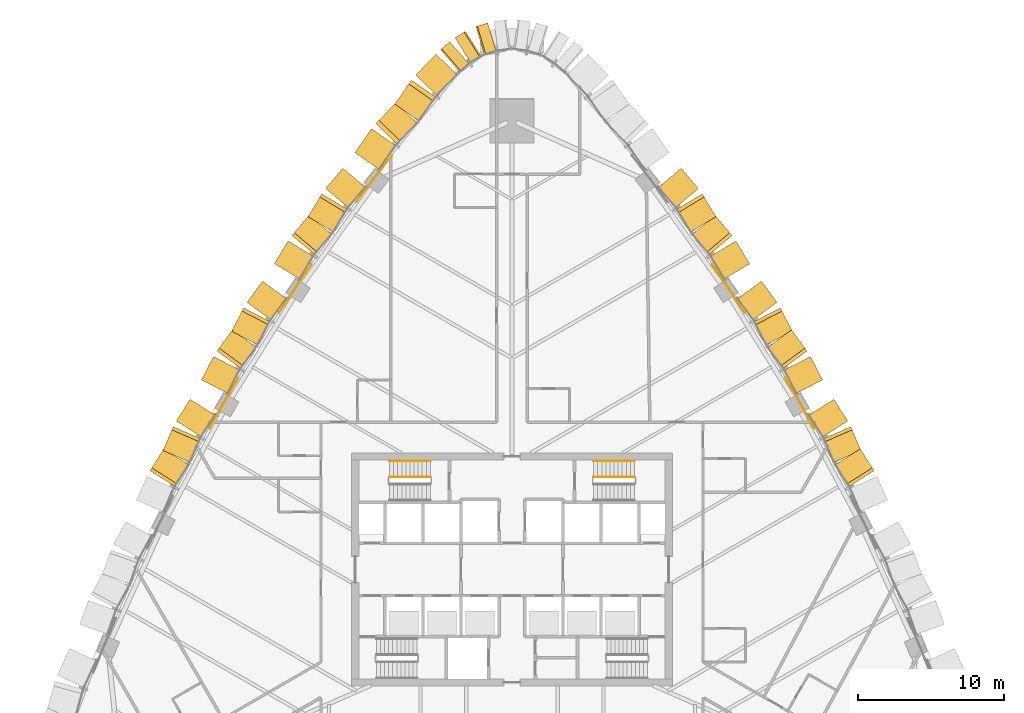
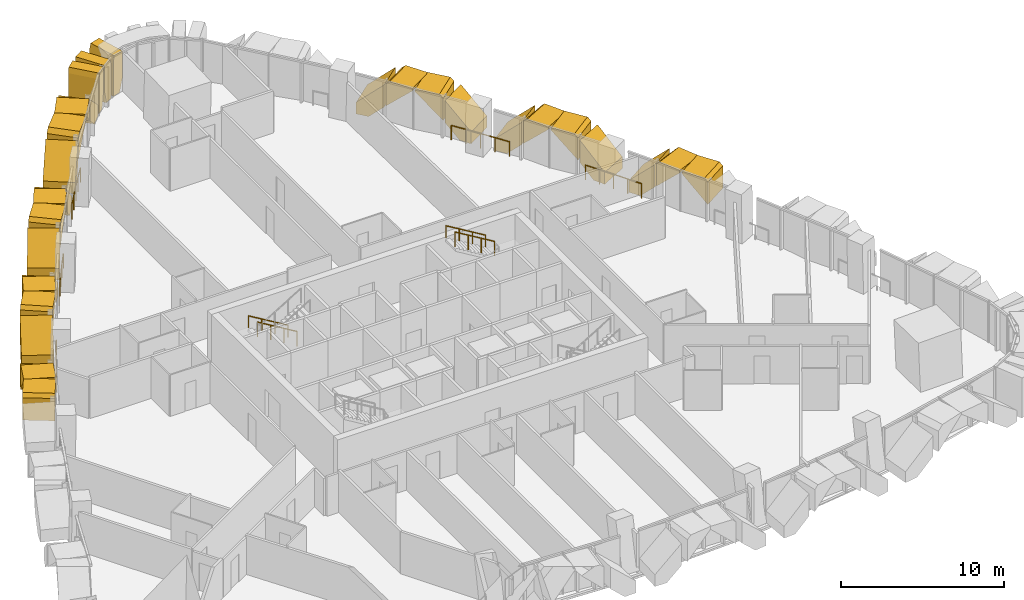
# One storey, part 20 of 22: 29 coverings, 9 railings.
"""IFC4 building model written with IfcOpenShell, lengths in metres."""

from ifc_helpers import new_model, si_unit, direction, frame, origin, origin_2d, place, context, subcontext, project, spatial, polyline, circle, outline, extrude, material, layer, layer_set, type_object, element, save


model = new_model("IFC4")

# Units and contexts
model_context = context("Model", 3, precision=1e-05, world=origin(), true_north=direction((0.0, 1.0)))
body_context = subcontext(model_context, "Body", "Model", "MODEL_VIEW")
ifc_project = project(units=[si_unit("LENGTHUNIT", "METRE"), si_unit("AREAUNIT", "SQUARE_METRE"), si_unit("VOLUMEUNIT", "CUBIC_METRE"), si_unit("PLANEANGLEUNIT", "RADIAN"), si_unit("MASSUNIT", "GRAM", prefix="KILO")], contexts=[model_context])

# Site, building, storey
site_placement = place(None, origin())
site = spatial("IfcSite", under=ifc_project, at=site_placement, CompositionType="ELEMENT")
building_placement = place(site_placement, origin())
building = spatial("IfcBuilding", under=site, at=building_placement, Name="Sierra Prisma Convention Tower", CompositionType="ELEMENT")
storey_placement = place(building_placement, frame((0.0, 0.0, 66.5)))
storey = spatial("IfcBuildingStorey", under=building, at=storey_placement, Name="L12", CompositionType="ELEMENT", Elevation=66.5)

# Coverings
ifc_material_1 = material(Name="Aluminium 6063-T6 bronze anodised", Category="aluminium")
ifc_layer = layer(ifc_material_1, 2.0)
ifc_layer_set = layer_set([ifc_layer], Name="Bronze crystal chevron frame")
covering_type = type_object("IfcCoveringType", Name="Bronze crystal chevron frame", PredefinedType="CLADDING", material=ifc_layer_set)
covering_1_placement = place(storey_placement, frame((24.8330078125, 6.7734375, 2.750732421875), z_axis=(0.843627002858, 0.536929678818, -7.274454e-06), x_axis=(-6.136926e-06, -3.90587e-06, -0.999999999974)))
element("IfcCovering", 1, at=covering_1_placement, inside=storey, type_object=covering_type, Name="CW-2 chevron frame NE3.1.2", PredefinedType="CLADDING", context=body_context, shape_type="SweptSolid", body=[
    extrude(outline(polyline([(0.0, 0.0), (1.6748046874556866, 0.0), (-0.05346679688571661, 1.7751419682202032), (-0.22924804688106562, 1.7751419682202032), (-0.22924804697899437, 0.23555711767085305), (0.0, 0.0)])), origin(), (0.0, 0.0, -1.0), 2.0),
])
covering_2_placement = place(storey_placement, frame((23.938232421875, 8.161376953125, 2.97998046875), z_axis=(0.917247527289, 0.398317677915, 3.3817875e-05), x_axis=(3.1019362e-05, 1.3470257e-05, -0.999999999428)))
element("IfcCovering", 2, at=covering_2_placement, inside=storey, type_object=covering_type, Name="CW-2 chevron frame NE3.2.1", PredefinedType="CLADDING", context=body_context, shape_type="SweptSolid", body=[
    extrude(outline(polyline([(0.0, 0.0), (0.17578124989948402, 0.0), (1.9040527335483957, 1.77506146457177), (0.22924804700608964, 1.77506146457177), (-2.1164201235865593e-09, 1.5395345967687237), (0.0, 0.0)])), origin(), (0.0, 0.0, -1.0), 2.0),
])
covering_3_placement = place(storey_placement, frame((22.070068359375, 11.6787109375, 0.0), z_axis=(0.843643112376, 0.536904363911, -5.4357635e-05), x_axis=(4.5858445e-05, 2.9184852e-05, 0.999999998523)))
element("IfcCovering", 3, at=covering_3_placement, inside=storey, type_object=covering_type, Name="CW-2 chevron frame NE3.2.2", PredefinedType="CLADDING", context=body_context, shape_type="SweptSolid", body=[
    extrude(outline(polyline([(0.0, 0.0), (0.8957519518016374, 0.0), (2.624023436428037, 1.775141967471109), (0.9492187514023532, 1.775141967471109), (-7.595358764795403e-09, 0.8000703092478321), (0.0, 0.0)])), origin(), (0.0, 0.0, -1.0), 2.0),
])
covering_4_placement = place(storey_placement, frame((21.2998046875, 13.001953125, 0.0), z_axis=(0.888599168625, 0.458684551163, 6.603185e-06), x_axis=(-0.458684551173, 0.888599168644, -1.38e-10)))
element("IfcCovering", 4, at=covering_4_placement, inside=storey, type_object=covering_type, Name="CW-2 chevron frame NE4.1.1", PredefinedType="CLADDING", context=body_context, shape_type="SweptSolid", body=[
    extrude(outline(polyline([(0.0, 0.0), (0.8074749562438586, 0.0), (1.807019234098093, 0.9570312502696389), (1.8070192338693694, 2.618408203358419), (-1.22277335272357e-10, 0.8881835937306367), (0.0, 0.0)])), origin(), (0.0, 0.0, -1.0), 2.0),
])
covering_5_placement = place(storey_placement, frame((20.2373046875, 14.984619140625, 2.742919921875), z_axis=(0.805926760783, 0.592015249848, -1.4223586e-05), x_axis=(-1.1463169e-05, -8.42058e-06, -0.999999999899)))
element("IfcCovering", 5, at=covering_5_placement, inside=storey, type_object=covering_type, Name="CW-2 chevron frame NE4.1.2", PredefinedType="CLADDING", context=body_context, shape_type="SweptSolid", body=[
    extrude(outline(polyline([(0.0, 0.0), (1.661376952956943, 0.0), (-0.06884765629099551, 1.8066811551851738), (-0.2370605468989799, 1.8066811551851738), (-0.23706054726912495, 0.2474734652271729), (0.0, 0.0)])), origin(), (0.0, 0.0, -1.0), 2.0),
])
covering_6_placement = place(storey_placement, frame((19.233154296875, 16.335205078125, 2.97998046875), z_axis=(0.888646511501, 0.458592812059, 0.000101611616), x_axis=(9.0296808e-05, 4.6598357e-05, -0.999999994838)))
element("IfcCovering", 6, at=covering_6_placement, inside=storey, type_object=covering_type, Name="CW-2 chevron frame NE4.2.1", PredefinedType="CLADDING", context=body_context, shape_type="SweptSolid", body=[
    extrude(outline(polyline([(0.0, 0.0), (0.16821288975660764, 1.1398548840980721e-21), (1.898437492647023, 1.8069072628120537), (0.23706054809881566, 1.8069072628120537), (-1.8890369768919616e-08, 1.5594810965792136), (0.0, 0.0)])), origin(), (0.0, 0.0, -1.0), 2.0),
])
covering_7_placement = place(storey_placement, frame((17.10107421875, 19.77392578125, 0.0), z_axis=(0.805920404517, 0.592023902403, 2.3791261e-05), x_axis=(-1.9173863e-05, -1.4084995e-05, 0.999999999717)))
element("IfcCovering", 7, at=covering_7_placement, inside=storey, type_object=covering_type, Name="CW-2 chevron frame NE4.2.2", PredefinedType="CLADDING", context=body_context, shape_type="SweptSolid", body=[
    extrude(outline(polyline([(0.0, 0.0), (0.8881835934986333, 1.5046415342339573e-21), (2.6184082029256617, 1.8066811550448456), (0.9570312502708515, 1.8066811550448456), (-1.4431127281783472e-09, 0.8073634472362965), (0.0, 0.0)])), origin(), (0.0, 0.0, -1.0), 2.0),
])
covering_8_placement = place(storey_placement, frame((16.298828125, 20.967041015625, 0.0), z_axis=(0.856060694865, 0.516875310289, -1.789671e-05), x_axis=(-0.516875310372, 0.856060695002, -9.99e-10)))
element("IfcCovering", 8, at=covering_8_placement, inside=storey, type_object=covering_type, Name="CW-2 chevron frame NE5.1.1", PredefinedType="CLADDING", context=body_context, shape_type="SweptSolid", body=[
    extrude(outline(polyline([(0.0, 0.0), (0.8128211401139682, 8.470329472543003e-22), (1.8303440830758722, 0.9624023457324232), (1.830344081425619, 2.614501954842846), (-8.818257800508507e-10, 0.882812499858621), (0.0, 0.0)])), origin(), (0.0, 0.0, -1.0), 2.0),
])
covering_9_placement = place(storey_placement, frame((15.094482421875, 22.894287109375, 2.737548828125), z_axis=(0.764636008068, 0.644462392096, 1.8426084e-05), x_axis=(1.4089247e-05, 1.1874918e-05, -0.99999999983)))
element("IfcCovering", 9, at=covering_9_placement, inside=storey, type_object=covering_type, Name="CW-2 chevron frame NE5.1.2", PredefinedType="CLADDING", context=body_context, shape_type="SweptSolid", body=[
    extrude(outline(polyline([(0.0, 0.0), (1.6520996090945392, 0.0), (-0.07958984381879934, 1.8304932895838215), (-0.24243164066615527, 1.8304932895838215), (-0.24243164128236522, 0.2564218149672872), (0.0, 0.0)])), origin(), (0.0, 0.0, -1.0), 2.0),
])
covering_10_placement = place(storey_placement, frame((13.9873046875, 24.19287109375, 2.97998046875), z_axis=(0.856064243176, 0.516869433403, 1.9215782e-05), x_axis=(1.6449944e-05, 9.93205e-06, -0.999999999815)))
element("IfcCovering", 10, at=covering_10_placement, inside=storey, type_object=covering_type, Name="CW-2 chevron frame NE5.2.1", PredefinedType="CLADDING", context=body_context, shape_type="SweptSolid", body=[
    extrude(outline(polyline([(0.0, 0.0), (0.16284179684493563, -2.7586473428643473e-22), (1.8945312497397429, 1.8303440841123098), (0.2424316406697585, 1.8303440841123098), (-6.70160353197509e-10, 1.5742676867807472), (0.0, 0.0)])), origin(), (0.0, 0.0, -1.0), 2.0),
])
covering_11_placement = place(storey_placement, frame((11.603271484375, 27.52001953125, 0.0), z_axis=(0.764649652264, 0.644446202003, -4.4912139e-05), x_axis=(3.4342052e-05, 2.8943458e-05, 0.999999998991)))
element("IfcCovering", 11, at=covering_11_placement, inside=storey, type_object=covering_type, Name="CW-2 chevron frame NE5.2.2", PredefinedType="CLADDING", context=body_context, shape_type="SweptSolid", body=[
    extrude(outline(polyline([(0.0, 0.0), (0.8828124991096393, 0.0), (2.6145019524294053, 1.8304932890789516), (0.962402344720631, 1.8304932890789516), (-5.113171912909015e-09, 0.8131211467707001), (0.0, 0.0)])), origin(), (0.0, 0.0, -1.0), 2.0),
])
covering_12_placement = place(storey_placement, frame((-1.6650390625, 37.4775390625, 2.97998046875), z_axis=(-0.286686532829, 0.958024442198, 6.764611e-06), x_axis=(-1.939323e-06, 6.480663e-06, -0.999999999977)))
element("IfcCovering", 12, at=covering_12_placement, inside=storey, type_object=covering_type, Name="CW-2 chevron frame N3.1.2", PredefinedType="CLADDING", context=body_context, shape_type="SweptSolid", body=[
    extrude(outline(polyline([(0.0, 0.0), (1.8947753905816478, 0.0), (2.979980468619072, 0.2844015086632009), (2.9799804686910827, 0.8447861490556154), (0.38427734375047223, 0.8447861490556154), (-3.1161904410810656e-10, 0.7441395021924682), (0.0, 0.0)])), origin(), (0.0, 0.0, -1.0), 2.0),
])
covering_13_placement = place(storey_placement, frame((-3.193359375, 36.910400390625, 0.0), z_axis=(-0.529848208409, 0.848092492617, 3.433972e-06), x_axis=(-0.848092492622, -0.529848208412, 2.93e-10)))
element("IfcCovering", 13, at=covering_13_placement, inside=storey, type_object=covering_type, Name="CW-2 chevron frame N4.1.1", PredefinedType="CLADDING", context=body_context, shape_type="SweptSolid", body=[
    extrude(outline(polyline([(0.0, 0.0), (0.5602254424004683, 0.0), (0.8446081886416862, 1.0852050778533546), (0.8446081891970426, 2.979980468467183), (0.10079812832950608, 2.979980468942143), (7.607975555610058e-10, 2.595703124984696), (0.0, 0.0)])), origin(), (0.0, 0.0, -1.0), 2.0),
])
covering_14_placement = place(storey_placement, frame((-4.266357421875, 36.19921875, 2.97998046875), z_axis=(-0.655785937905, 0.754946887847, -1.3238234e-05), x_axis=(8.681448e-06, -9.994164e-06, -0.999999999912)))
element("IfcCovering", 14, at=covering_14_placement, inside=storey, type_object=covering_type, Name="CW-2 chevron frame N4.1.2", PredefinedType="CLADDING", context=body_context, shape_type="SweptSolid", body=[
    extrude(outline(polyline([(0.0, 0.0), (1.8947753904589697, -1.604937183506012e-21), (2.979980469599335, 0.2843307546580882), (2.979980468688029, 0.8447020421063494), (0.3842773439154787, 0.8447020421063494), (2.4635764651138235e-10, 0.7438081411744828), (0.0, 0.0)])), origin(), (0.0, 0.0, -1.0), 2.0),
])
covering_15_placement = place(storey_placement, frame((-5.219970703125, 35.34521484375, 0.0), z_axis=(-0.719954322996, 0.69402144779, 5.298183e-05), x_axis=(-0.694021448764, -0.719954324006, -8.01e-09)))
element("IfcCovering", 15, at=covering_15_placement, inside=storey, type_object=covering_type, Name="CW-2 chevron frame NW1.1.1", PredefinedType="CLADDING", context=body_context, shape_type="SweptSolid", body=[
    extrude(outline(polyline([(0.0, 0.0), (0.8543317971728241, 0.0), (2.002368246306372, 0.9982910330644786), (2.0023682335683124, 2.5886230620823882), (-6.787504502822927e-09, 0.8474121081856256), (0.0, 0.0)])), origin(), (0.0, 0.0, -1.0), 2.0),
])
covering_16_placement = place(storey_placement, frame((-6.891357421875, 33.56103515625, 2.70166015625), z_axis=(-0.819641100928, 0.572877355544, -3.4273632e-05), x_axis=(2.8092078e-05, -1.9634588e-05, -0.999999999413)))
element("IfcCovering", 16, at=covering_16_placement, inside=storey, type_object=covering_type, Name="CW-2 chevron frame NW1.1.2", PredefinedType="CLADDING", context=body_context, shape_type="SweptSolid", body=[
    extrude(outline(polyline([(0.0, 0.0), (1.590332030315933, 0.0), (-0.15112304711317706, 2.002538530287317), (-0.2783203126634689, 2.002538530287317), (-0.2783203146810194, 0.3199524993114719), (0.0, 0.0)])), origin(), (0.0, 0.0, -1.0), 2.0),
])
covering_17_placement = place(storey_placement, frame((-7.95947265625, 32.015625, 2.97998046875), z_axis=(-0.719910791755, 0.694066604743, -9.792585e-06), x_axis=(7.049787e-06, -6.796706e-06, -0.999999999952)))
element("IfcCovering", 17, at=covering_17_placement, inside=storey, type_object=covering_type, Name="CW-2 chevron frame NW1.2.1", PredefinedType="CLADDING", context=body_context, shape_type="SweptSolid", body=[
    extrude(outline(polyline([(0.0, 0.0), (0.12719726561890124, 0.0), (1.8686523436870928, 2.002537696900797), (0.2783203125133447, 2.002537696900797), (-1.6470198462516694e-10, 1.6824213888453103), (0.0, 0.0)])), origin(), (0.0, 0.0, -1.0), 2.0),
])
covering_18_placement = place(storey_placement, frame((-10.778076171875, 28.590087890625, 0.0), z_axis=(-0.819692492909, 0.572803820647, -1.0945102e-05), x_axis=(-8.971618e-06, 6.269396e-06, 0.99999999994)))
element("IfcCovering", 18, at=covering_18_placement, inside=storey, type_object=covering_type, Name="CW-2 chevron frame NW1.2.2", PredefinedType="CLADDING", context=body_context, shape_type="SweptSolid", body=[
    extrude(outline(polyline([(0.0, 0.0), (0.847412109324242, 0.0), (2.588623046839538, 2.00239867669002), (0.9982910156847953, 2.00239867669002), (-2.9203020302523766e-10, 0.8545335504796427), (0.0, 0.0)])), origin(), (0.0, 0.0, -1.0), 2.0),
])
covering_19_placement = place(storey_placement, frame((-11.603271484375, 27.52001953125, 0.0), z_axis=(-0.764697247075, 0.644389726206, -3.2798762e-05), x_axis=(-0.644389726553, -0.764697247486, -3.356e-09)))
element("IfcCovering", 19, at=covering_19_placement, inside=storey, type_object=covering_type, Name="CW-2 chevron frame NW2.1.1", PredefinedType="CLADDING", context=body_context, shape_type="SweptSolid", body=[
    extrude(outline(polyline([(0.0, 0.0), (0.8127771375869179, -1.6940658945086007e-21), (1.8287732007924586, 0.962158209780027), (1.8287731952462478, 2.614746099516134), (-2.963605297002106e-09, 0.8830566401500219), (0.0, 0.0)])), origin(), (0.0, 0.0, -1.0), 2.0),
])
covering_20_placement = place(storey_placement, frame((-13.0400390625, 25.76123046875, 2.73779296875), z_axis=(-0.856067378236, 0.516864239509, -4.2863467e-05), x_axis=(3.6694016e-05, -2.2154593e-05, -0.999999999081)))
element("IfcCovering", 20, at=covering_20_placement, inside=storey, type_object=covering_type, Name="CW-2 chevron frame NW2.1.2", PredefinedType="CLADDING", context=body_context, shape_type="SweptSolid", body=[
    extrude(outline(polyline([(0.0, 0.0), (1.6525878891068693, -5.599185566371444e-21), (-0.07910156287229975, 1.8289205173063365), (-0.24218750022248275, 1.8289205173063365), (-0.24218750355837818, 0.2558673967417355), (0.0, 0.0)])), origin(), (0.0, 0.0, -1.0), 2.0),
])
covering_21_placement = place(storey_placement, frame((-13.9130859375, 24.296630859375, 2.97998046875), z_axis=(-0.764686090578, 0.644402966223, -4.34785e-07), x_axis=(3.32474e-07, -2.80177e-07, -1.0)))
element("IfcCovering", 21, at=covering_21_placement, inside=storey, type_object=covering_type, Name="CW-2 chevron frame NW2.2.1", PredefinedType="CLADDING", context=body_context, shape_type="SweptSolid", body=[
    extrude(outline(polyline([(0.0, 0.0), (0.1630859374999846, -4.316848821761113e-24), (1.8947753906248668, 1.8287732042938134), (0.2421875000000229, 1.8287732042938134), (-3.432317043011551e-13, 1.5730394248130373), (0.0, 0.0)])), origin(), (0.0, 0.0, -1.0), 2.0),
])
covering_22_placement = place(storey_placement, frame((-16.294921875, 20.97216796875, 0.0), z_axis=(-0.856098949071, 0.5168119462, 4.0810155e-05), x_axis=(3.4937531e-05, -2.1091176e-05, 0.999999999167)))
element("IfcCovering", 22, at=covering_22_placement, inside=storey, type_object=covering_type, Name="CW-2 chevron frame NW2.2.2", PredefinedType="CLADDING", context=body_context, shape_type="SweptSolid", body=[
    extrude(outline(polyline([(0.0, 0.0), (0.8830566398896484, -2.991912275604301e-21), (2.6147460931750555, 1.8285853299357666), (0.9621582039262222, 1.8285853299357666), (-4.223036690297993e-09, 0.8126949597379733), (0.0, 0.0)])), origin(), (0.0, 0.0, -1.0), 2.0),
])
covering_23_placement = place(storey_placement, frame((-17.10107421875, 19.77392578125, 0.0), z_axis=(-0.805929314713, 0.592011773211, 8.070559e-06), x_axis=(-0.59201177323, -0.80592931474, -2.06e-10)))
element("IfcCovering", 23, at=covering_23_placement, inside=storey, type_object=covering_type, Name="CW-2 chevron frame NW3.1.1", PredefinedType="CLADDING", context=body_context, shape_type="SweptSolid", body=[
    extrude(outline(polyline([(0.0, 0.0), (0.8070221520210241, 1.2705494208814505e-21), (1.805460512266575, 0.9567871097777804), (1.8054605119245108, 2.6186523440986584), (-1.828664235958271e-10, 0.8884277343460666), (0.0, 0.0)])), origin(), (0.0, 0.0, -1.0), 2.0),
])
covering_24_placement = place(storey_placement, frame((-18.403564453125, 17.94189453125, 2.743408203125), z_axis=(-0.888591756855, 0.458698909518, 7.528579e-06), x_axis=(-6.689833e-06, 3.453351e-06, -0.999999999972)))
element("IfcCovering", 24, at=covering_24_placement, inside=storey, type_object=covering_type, Name="CW-2 chevron frame NW3.1.2", PredefinedType="CLADDING", context=body_context, shape_type="SweptSolid", body=[
    extrude(outline(polyline([(0.0, 0.0), (1.6621093749528961, 0.0), (-0.06811523438647843, 1.8053816248993118), (-0.2365722656317044, 1.8053816248993118), (-0.23657226573545997, 0.24699225670349048), (0.0, 0.0)])), origin(), (0.0, 0.0, -1.0), 2.0),
])
covering_25_placement = place(storey_placement, frame((-19.166259765625, 16.443115234375, 2.97998046875), z_axis=(-0.805934325685, 0.592004950707, 3.1962473e-05), x_axis=(-2.5759654e-05, 1.8921942e-05, -0.999999999489)))
element("IfcCovering", 25, at=covering_25_placement, inside=storey, type_object=covering_type, Name="CW-2 chevron frame NW3.2.1", PredefinedType="CLADDING", context=body_context, shape_type="SweptSolid", body=[
    extrude(outline(polyline([(0.0, 0.0), (0.16845703116395216, -2.8537731133079455e-22), (1.898681639896836, 1.8054605124641907), (0.23657226574584106, 1.8054605124641907), (-1.870106061540878e-09, 1.5585251019604929), (0.0, 0.0)])), origin(), (0.0, 0.0, -1.0), 2.0),
])
covering_26_placement = place(storey_placement, frame((-21.296875, 13.006591796875, 0.0), z_axis=(-0.888609804569, 0.458663943679, -4.464934e-05), x_axis=(-3.9675841e-05, 2.0479042e-05, 0.999999999003)))
element("IfcCovering", 26, at=covering_26_placement, inside=storey, type_object=covering_type, Name="CW-2 chevron frame NW3.2.2", PredefinedType="CLADDING", context=body_context, shape_type="SweptSolid", body=[
    extrude(outline(polyline([(0.0, 0.0), (0.8884277334894314, 6.0202204981609354e-21), (2.618652343047191, 1.8055985693250158), (0.9567871103287079, 1.8055985693250158), (-5.084171052159898e-09, 0.8072580106638614), (0.0, 0.0)])), origin(), (0.0, 0.0, -1.0), 2.0),
])
covering_27_placement = place(storey_placement, frame((-22.070068359375, 11.6787109375, 0.0), z_axis=(-0.843688841566, 0.536832504681, 2.3132299e-05), x_axis=(-0.536832504824, -0.843688841792, -1.72e-09)))
element("IfcCovering", 27, at=covering_27_placement, inside=storey, type_object=covering_type, Name="CW-2 chevron frame NW4.1.1", PredefinedType="CLADDING", context=body_context, shape_type="SweptSolid", body=[
    extrude(outline(polyline([(0.0, 0.0), (0.7998643395260274, 1.6940658945086007e-21), (1.7741308309714585, 0.9489746126807121), (1.7741308280896644, 2.624267580982485), (-1.541268468454633e-09, 0.8959960935102749), (0.0, 0.0)])), origin(), (0.0, 0.0, -1.0), 2.0),
])
covering_28_placement = place(storey_placement, frame((-23.23046875, 9.790283203125, 2.7509765625), z_axis=(-0.917214799246, 0.398393033955, -5.0397128e-05), x_axis=(4.6224992e-05, -2.0077865e-05, -0.99999999873)))
element("IfcCovering", 28, at=covering_28_placement, inside=storey, type_object=covering_type, Name="CW-2 chevron frame NW4.1.2", PredefinedType="CLADDING", context=body_context, shape_type="SweptSolid", body=[
    extrude(outline(polyline([(0.0, 0.0), (1.6752929666224863, 0.0), (-0.052978516139360984, 1.7740684764413541), (-0.22900390654082012, 1.7740684764413541), (-0.22900391124292904, 0.2350790024404103), (0.0, 0.0)])), origin(), (0.0, 0.0, -1.0), 2.0),
])
covering_29_placement = place(storey_placement, frame((-23.87890625, 8.272705078125, 2.97998046875), z_axis=(-0.843594374739, 0.536980940763, 1.2882037e-05), x_axis=(-1.0867214e-05, 6.917409e-06, -0.999999999917)))
element("IfcCovering", 29, at=covering_29_placement, inside=storey, type_object=covering_type, Name="CW-2 chevron frame NW4.2.1", PredefinedType="CLADDING", context=body_context, shape_type="SweptSolid", body=[
    extrude(outline(polyline([(0.0, 0.0), (0.17602539061039457, 0.0), (1.9042968748799964, 1.7740559444849648), (0.22900390626900125, 1.7740559444849648), (-3.0722051617442154e-10, 1.5390418383466749), (0.0, 0.0)])), origin(), (0.0, 0.0, -1.0), 2.0),
])

# Railings
ifc_material_2 = material(Name="Stainless steel", Category="steel")
railing_type_1 = type_object("IfcRailingType", Name="Exit stair handrail", PredefinedType="HANDRAIL", material=ifc_material_2)
for number, where, name in (
    (30, (-5.60009765625, 7.449951171875, 0.168212890625), "L12 S3 stair handrail 1"),
    (31, (8.39990234375, 7.449951171875, 2.01806640625), "L12 S4 stair handrail 2"),
):
    element("IfcRailing", number, at=place(storey_placement, frame(where)), inside=storey, type_object=railing_type_1, Name=name, PredefinedType="HANDRAIL", context=body_context, shape_type="SweptSolid", body=[
        extrude(circle(Radius=0.02392578125, at=origin_2d()), frame((0.0, 0.0, 0.8759765625), z_axis=(-0.857222391501, 0.0, 0.514946377315), x_axis=(0.0, -1.0, 0.0)), (0.0, 0.0, 1.0), 3.26611328125),
        extrude(circle(Radius=0.02099609375, at=origin_2d()), origin(), (0.0, 0.0, 1.0), 0.851806640625),
        extrude(circle(Radius=0.02099609375, at=origin_2d()), frame((-0.933349609375, 0.0, 0.560546875)), (0.0, 0.0, 1.0), 0.851806640625),
        extrude(circle(Radius=0.02099609375, at=origin_2d()), frame((-1.866455078125, 0.0, 1.121337890625)), (0.0, 0.0, 1.0), 0.851806640625),
        extrude(circle(Radius=0.02099609375, at=origin_2d()), frame((-2.7998046875, 0.0, 1.681884765625)), (0.0, 0.0, 1.0), 0.851806640625),
    ])
ifc_material_3 = material(Name="Bronze anodised aluminium", Category="aluminium")
railing_type_2 = type_object("IfcRailingType", Name="Facade guard 1100", PredefinedType="GUARDRAIL", material=ifc_material_3)
railing_1_placement = place(storey_placement, frame((20.75, 9.676513671875, 0.0)))
element("IfcRailing", 32, at=railing_1_placement, inside=storey, type_object=railing_type_2, Name="Facade guard", PredefinedType="GUARDRAIL", context=body_context, shape_type="SweptSolid", body=[
    extrude(circle(Radius=0.02392578125, at=origin_2d()), frame((0.0, 0.0, 1.076171875), z_axis=(-0.489223650125, 0.872158368737, 0.0), x_axis=(-0.872158368737, -0.489223650125, 0.0)), (0.0, 0.0, 1.0), 0.99462890625),
    extrude(circle(Radius=0.02392578125, at=origin_2d()), frame((-0.486572265625, 0.867431640625, 1.076171875), z_axis=(-0.498319738452, 0.866993332309, 0.0), x_axis=(-0.866993332309, -0.498319738452, 0.0)), (0.0, 0.0, 1.0), 1.0),
    extrude(circle(Radius=0.02392578125, at=origin_2d()), frame((-0.98486328125, 1.734375, 1.076171875), z_axis=(-0.501839337504, 0.86496085422, 0.0), x_axis=(-0.86496085422, -0.501839337504, 0.0)), (0.0, 0.0, 1.0), 0.994384765625),
    extrude(circle(Radius=0.02392578125, at=origin_2d()), frame((-1.48388671875, 2.594482421875, 1.076171875), z_axis=(-0.510217216317, 0.860045575638, 0.0), x_axis=(-0.860045575638, -0.510217216317, 0.0)), (0.0, 0.0, 1.0), 1.0),
    extrude(circle(Radius=0.02099609375, at=origin_2d()), origin(), (0.0, 0.0, 1.0), 1.052001953125),
    extrude(circle(Radius=0.02099609375, at=origin_2d()), frame((-0.486572265625, 0.867431640625, 0.0)), (0.0, 0.0, 1.0), 1.052001953125),
    extrude(circle(Radius=0.02099609375, at=origin_2d()), frame((-0.98486328125, 1.734375, 0.0)), (0.0, 0.0, 1.0), 1.052001953125),
    extrude(circle(Radius=0.02099609375, at=origin_2d()), frame((-1.48388671875, 2.594482421875, 0.0)), (0.0, 0.0, 1.0), 1.052001953125),
    extrude(circle(Radius=0.02099609375, at=origin_2d()), frame((-1.994140625, 3.45458984375, 0.0)), (0.0, 0.0, 1.0), 1.052001953125),
])
railing_2_placement = place(storey_placement, frame((15.967529296875, 17.611328125, 0.0)))
element("IfcRailing", 33, at=railing_2_placement, inside=storey, type_object=railing_type_2, Name="Facade guard", PredefinedType="GUARDRAIL", context=body_context, shape_type="SweptSolid", body=[
    extrude(circle(Radius=0.02392578125, at=origin_2d()), frame((0.0, 0.0, 1.076171875), z_axis=(-0.545314345033, 0.838231629743, 0.0), x_axis=(-0.838231629743, -0.545314345033, 0.0)), (0.0, 0.0, 1.0), 1.000244140625),
    extrude(circle(Radius=0.02392578125, at=origin_2d()), frame((-0.54541015625, 0.83837890625, 1.076171875), z_axis=(-0.555096725302, 0.831785805096, 0.0), x_axis=(-0.831785805096, -0.555096725302, 0.0)), (0.0, 0.0, 1.0), 0.994384765625),
    extrude(circle(Radius=0.02392578125, at=origin_2d()), frame((-1.097412109375, 1.66552734375, 1.076171875), z_axis=(-0.556895570234, 0.830582520797, 0.0), x_axis=(-0.830582520797, -0.556895570234, 0.0)), (0.0, 0.0, 1.0), 1.0),
    extrude(circle(Radius=0.02392578125, at=origin_2d()), frame((-1.654296875, 2.49609375, 1.076171875), z_axis=(-0.567101732998, 0.823647755069, 0.0), x_axis=(-0.823647755069, -0.567101732998, 0.0)), (0.0, 0.0, 1.0), 0.994384765625),
    extrude(circle(Radius=0.02099609375, at=origin_2d()), origin(), (0.0, 0.0, 1.0), 1.052001953125),
    extrude(circle(Radius=0.02099609375, at=origin_2d()), frame((-0.54541015625, 0.83837890625, 0.0)), (0.0, 0.0, 1.0), 1.052001953125),
    extrude(circle(Radius=0.02099609375, at=origin_2d()), frame((-1.097412109375, 1.66552734375, 0.0)), (0.0, 0.0, 1.0), 1.052001953125),
    extrude(circle(Radius=0.02099609375, at=origin_2d()), frame((-1.654296875, 2.49609375, 0.0)), (0.0, 0.0, 1.0), 1.052001953125),
    extrude(circle(Radius=0.02099609375, at=origin_2d()), frame((-2.21826171875, 3.315185546875, 0.0)), (0.0, 0.0, 1.0), 1.052001953125),
])
railing_3_placement = place(storey_placement, frame((-8.23974609375, 28.375, 0.0)))
element("IfcRailing", 34, at=railing_3_placement, inside=storey, type_object=railing_type_2, Name="Facade guard", PredefinedType="GUARDRAIL", context=body_context, shape_type="SweptSolid", body=[
    extrude(circle(Radius=0.02392578125, at=origin_2d()), frame((0.0, 0.0, 1.076171875), z_axis=(-0.618027486735, -0.786156489282, 0.0), x_axis=(0.786156489282, -0.618027486735, 0.0)), (0.0, 0.0, 1.0), 0.99462890625),
    extrude(circle(Radius=0.02392578125, at=origin_2d()), frame((-0.61474609375, -0.781982421875, 1.076171875), z_axis=(-0.612891976322, -0.790166707322, 0.0), x_axis=(0.790166707322, -0.612891976322, 0.0)), (0.0, 0.0, 1.0), 0.999755859375),
    extrude(circle(Radius=0.02392578125, at=origin_2d()), frame((-1.2275390625, -1.572021484375, 1.076171875), z_axis=(-0.606538601509, -0.795054038968, 0.0), x_axis=(0.795054038968, -0.606538601509, 0.0)), (0.0, 0.0, 1.0), 0.99462890625),
    extrude(circle(Radius=0.02392578125, at=origin_2d()), frame((-1.830810546875, -2.36279296875, 1.076171875), z_axis=(-0.601990126786, -0.798503529893, 0.0), x_axis=(0.798503529893, -0.601990126786, 0.0)), (0.0, 0.0, 1.0), 1.0),
    extrude(circle(Radius=0.02099609375, at=origin_2d()), origin(), (0.0, 0.0, 1.0), 1.052001953125),
    extrude(circle(Radius=0.02099609375, at=origin_2d()), frame((-0.61474609375, -0.781982421875, 0.0)), (0.0, 0.0, 1.0), 1.052001953125),
    extrude(circle(Radius=0.02099609375, at=origin_2d()), frame((-1.2275390625, -1.572021484375, 0.0)), (0.0, 0.0, 1.0), 1.052001953125),
    extrude(circle(Radius=0.02099609375, at=origin_2d()), frame((-1.830810546875, -2.36279296875, 0.0)), (0.0, 0.0, 1.0), 1.052001953125),
    extrude(circle(Radius=0.02099609375, at=origin_2d()), frame((-2.432861328125, -3.161376953125, 0.0)), (0.0, 0.0, 1.0), 1.052001953125),
])
railing_4_placement = place(storey_placement, frame((-13.749267578125, 20.926513671875, 0.0)))
element("IfcRailing", 35, at=railing_4_placement, inside=storey, type_object=railing_type_2, Name="Facade guard", PredefinedType="GUARDRAIL", context=body_context, shape_type="SweptSolid", body=[
    extrude(circle(Radius=0.02392578125, at=origin_2d()), frame((0.0, 0.0, 1.076171875), z_axis=(-0.567101732998, -0.823647755069, 0.0), x_axis=(0.823647755069, -0.567101732998, 0.0)), (0.0, 0.0, 1.0), 0.994384765625),
    extrude(circle(Radius=0.02392578125, at=origin_2d()), frame((-0.56396484375, -0.819091796875, 1.076171875), z_axis=(-0.556895570234, -0.830582520797, 0.0), x_axis=(0.830582520797, -0.556895570234, 0.0)), (0.0, 0.0, 1.0), 1.0),
    extrude(circle(Radius=0.02392578125, at=origin_2d()), frame((-1.120849609375, -1.649658203125, 1.076171875), z_axis=(-0.555096725302, -0.831785805096, 0.0), x_axis=(0.831785805096, -0.555096725302, 0.0)), (0.0, 0.0, 1.0), 0.994384765625),
    extrude(circle(Radius=0.02392578125, at=origin_2d()), frame((-1.6728515625, -2.476806640625, 1.076171875), z_axis=(-0.545314345033, -0.838231629743, 0.0), x_axis=(0.838231629743, -0.545314345033, 0.0)), (0.0, 0.0, 1.0), 1.000244140625),
    extrude(circle(Radius=0.02099609375, at=origin_2d()), origin(), (0.0, 0.0, 1.0), 1.052001953125),
    extrude(circle(Radius=0.02099609375, at=origin_2d()), frame((-0.56396484375, -0.819091796875, 0.0)), (0.0, 0.0, 1.0), 1.052001953125),
    extrude(circle(Radius=0.02099609375, at=origin_2d()), frame((-1.120849609375, -1.649658203125, 0.0)), (0.0, 0.0, 1.0), 1.052001953125),
    extrude(circle(Radius=0.02099609375, at=origin_2d()), frame((-1.6728515625, -2.476806640625, 0.0)), (0.0, 0.0, 1.0), 1.052001953125),
    extrude(circle(Radius=0.02099609375, at=origin_2d()), frame((-2.21826171875, -3.315185546875, 0.0)), (0.0, 0.0, 1.0), 1.052001953125),
])
railing_5_placement = place(storey_placement, frame((-18.755859375, 13.131103515625, 0.0)))
element("IfcRailing", 36, at=railing_5_placement, inside=storey, type_object=railing_type_2, Name="Facade guard", PredefinedType="GUARDRAIL", context=body_context, shape_type="SweptSolid", body=[
    extrude(circle(Radius=0.02392578125, at=origin_2d()), frame((0.0, 0.0, 1.076171875), z_axis=(-0.510217216317, -0.860045575638, 0.0), x_axis=(0.860045575638, -0.510217216317, 0.0)), (0.0, 0.0, 1.0), 1.0),
    extrude(circle(Radius=0.02392578125, at=origin_2d()), frame((-0.51025390625, -0.860107421875, 1.076171875), z_axis=(-0.501839337504, -0.86496085422, 0.0), x_axis=(0.86496085422, -0.501839337504, 0.0)), (0.0, 0.0, 1.0), 0.994384765625),
    extrude(circle(Radius=0.02392578125, at=origin_2d()), frame((-1.00927734375, -1.72021484375, 1.076171875), z_axis=(-0.498319738452, -0.866993332309, 0.0), x_axis=(0.866993332309, -0.498319738452, 0.0)), (0.0, 0.0, 1.0), 1.0),
    extrude(circle(Radius=0.02392578125, at=origin_2d()), frame((-1.507568359375, -2.587158203125, 1.076171875), z_axis=(-0.489223650125, -0.872158368737, 0.0), x_axis=(0.872158368737, -0.489223650125, 0.0)), (0.0, 0.0, 1.0), 0.99462890625),
    extrude(circle(Radius=0.02099609375, at=origin_2d()), origin(), (0.0, 0.0, 1.0), 1.052001953125),
    extrude(circle(Radius=0.02099609375, at=origin_2d()), frame((-0.51025390625, -0.860107421875, 0.0)), (0.0, 0.0, 1.0), 1.052001953125),
    extrude(circle(Radius=0.02099609375, at=origin_2d()), frame((-1.00927734375, -1.72021484375, 0.0)), (0.0, 0.0, 1.0), 1.052001953125),
    extrude(circle(Radius=0.02099609375, at=origin_2d()), frame((-1.507568359375, -2.587158203125, 0.0)), (0.0, 0.0, 1.0), 1.052001953125),
    extrude(circle(Radius=0.02099609375, at=origin_2d()), frame((-1.994140625, -3.45458984375, 0.0)), (0.0, 0.0, 1.0), 1.052001953125),
])
ifc_material_4 = material(Name="Stainless steel", Category="steel")
railing_type_3 = type_object("IfcRailingType", Name="Stair guard 1100", PredefinedType="GUARDRAIL", material=ifc_material_4)
for number, where, name in (
    (37, (-5.60009765625, 6.35009765625, 0.168212890625), "L12 S3 stair guard 1"),
    (38, (8.39990234375, 6.35009765625, 2.01806640625), "L12 S4 stair guard 3"),
):
    element("IfcRailing", number, at=place(storey_placement, frame(where)), inside=storey, type_object=railing_type_3, Name=name, PredefinedType="GUARDRAIL", context=body_context, shape_type="SweptSolid", body=[
        extrude(circle(Radius=0.02392578125, at=origin_2d()), frame((0.0, 0.0, 1.076171875), z_axis=(-0.857222391501, 0.0, 0.514946377315), x_axis=(0.0, -1.0, 0.0)), (0.0, 0.0, 1.0), 3.26611328125),
        extrude(circle(Radius=0.02099609375, at=origin_2d()), origin(), (0.0, 0.0, 1.0), 1.052001953125),
        extrude(circle(Radius=0.02099609375, at=origin_2d()), frame((-0.933349609375, 0.0, 0.560546875)), (0.0, 0.0, 1.0), 1.052001953125),
        extrude(circle(Radius=0.02099609375, at=origin_2d()), frame((-1.866455078125, 0.0, 1.121337890625)), (0.0, 0.0, 1.0), 1.052001953125),
        extrude(circle(Radius=0.02099609375, at=origin_2d()), frame((-2.7998046875, 0.0, 1.681884765625)), (0.0, 0.0, 1.0), 1.052001953125),
    ])

save(model, "model.ifc")
